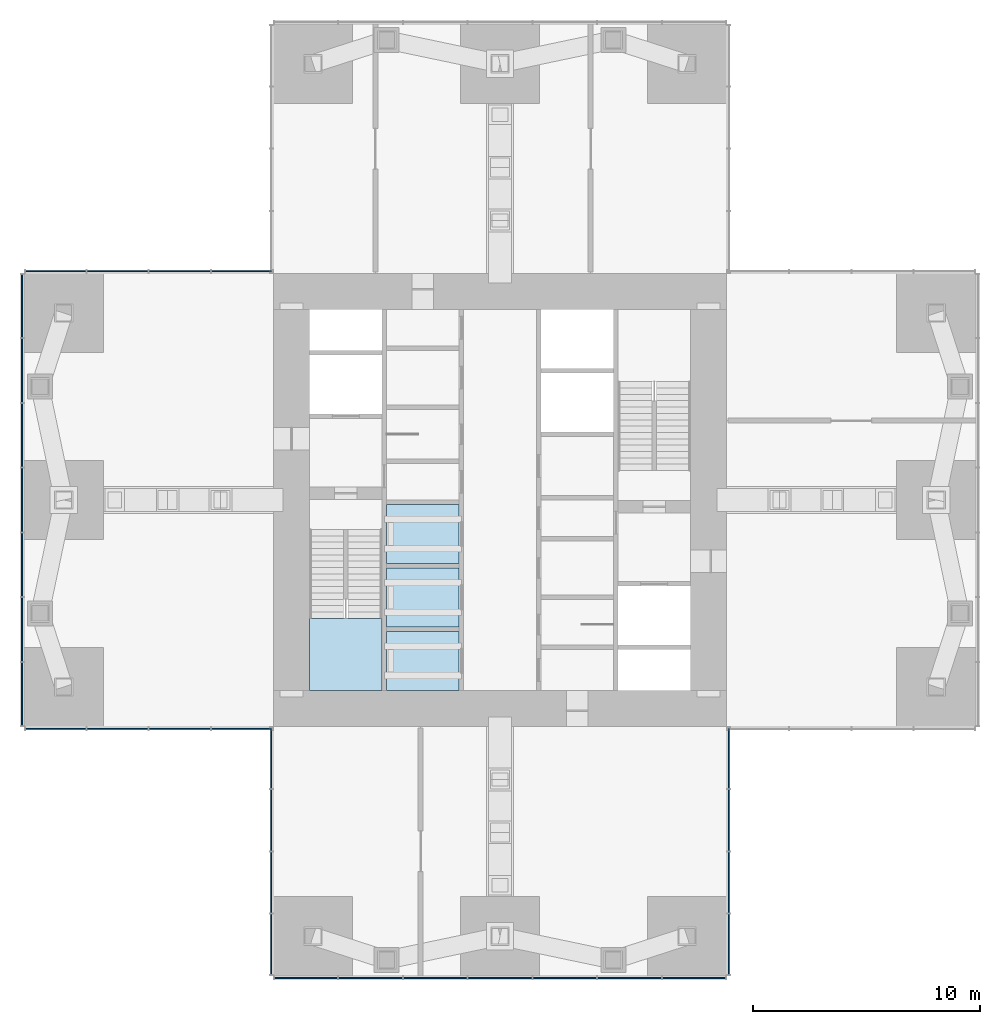
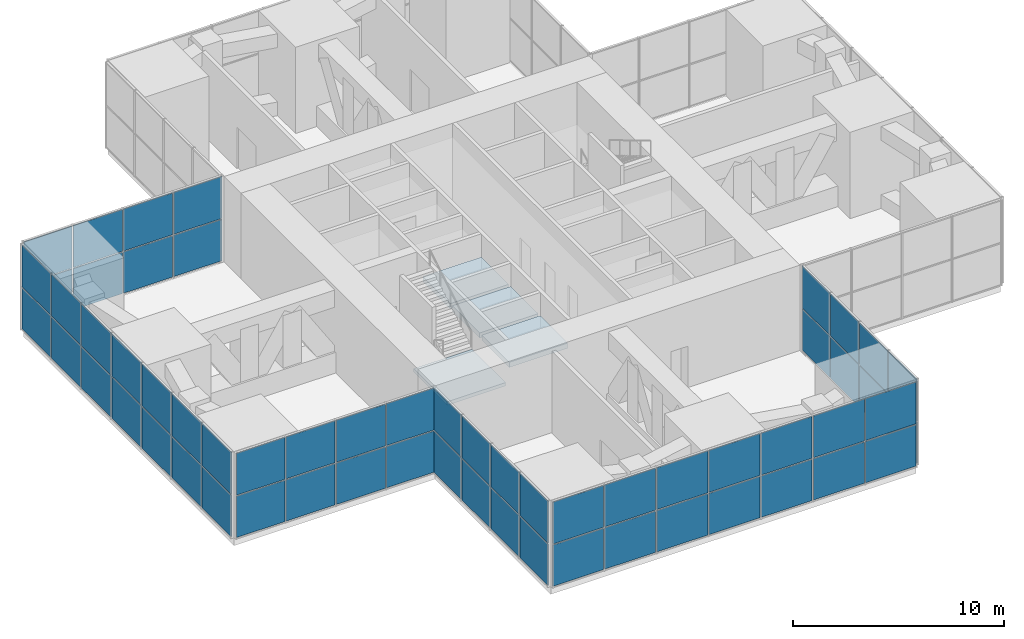
# One storey, part 8 of 12: 60 plates, 4 slabs, 7 elements without a shape of their own.
"""IFC4 building model written with IfcOpenShell, lengths in metres."""

from ifc_helpers import new_model, si_unit, direction, frame, origin, origin_2d, place, context, subcontext, project, spatial, polyline, rectangle, outline, extrude, material, layer, layer_set, type_object, element, aggregate, save


model = new_model("IFC4")

# Units and contexts
model_context = context("Model", 3, precision=1e-05, world=origin(), true_north=direction((0.0, 1.0)))
body_context = subcontext(model_context, "Body", "Model", "MODEL_VIEW")
ifc_project = project(units=[si_unit("LENGTHUNIT", "METRE"), si_unit("AREAUNIT", "SQUARE_METRE"), si_unit("VOLUMEUNIT", "CUBIC_METRE"), si_unit("PLANEANGLEUNIT", "RADIAN"), si_unit("MASSUNIT", "GRAM", prefix="KILO")], contexts=[model_context])

# Site, building, storey
site_placement = place(None, origin())
site = spatial("IfcSite", under=ifc_project, at=site_placement, CompositionType="ELEMENT")
building_placement = place(site_placement, origin())
building = spatial("IfcBuilding", under=site, at=building_placement, Name="Svetlomir Tower", CompositionType="ELEMENT")
storey_placement = place(building_placement, frame((0.0, 0.0, 160.5)))
storey = spatial("IfcBuildingStorey", under=building, at=storey_placement, Name="L38", CompositionType="ELEMENT", Elevation=160.5)

# Curtain wall, plates
ifc_material_1 = material(Name="Bronze anodised aluminium curtain wall", Category="aluminium")
curtain_wall_type = type_object("IfcCurtainWallType", Name="CURTAIN WALL CW3 PLANT LOUVRE", PredefinedType="NOTDEFINED", material=ifc_material_1)
curtain_wall_1_placement = place(storey_placement, origin())
curtain_wall_1 = element("IfcCurtainWall", 1, at=curtain_wall_1_placement, inside=storey, type_object=curtain_wall_type, Name="Curtain wall CW3 L38", PredefinedType="NOTDEFINED")
ifc_material_2 = material(Name="Bronze anodised aluminium louvre", Category="aluminium")
ifc_layer_1 = layer(ifc_material_2, 0.050048828125)
ifc_layer_set_1 = layer_set([ifc_layer_1], Name="Bronze anodised aluminium louvre")
plate_type = type_object("IfcPlateType", Name="CW3 LOUVRE PANEL 50", PredefinedType="CURTAIN_PANEL", material=ifc_layer_set_1)
plate_1_placement = place(storey_placement, frame((12.44482421875, -0.090087890625, 0.06494140625), z_axis=(0.0, 0.0, 1.0), x_axis=(1.0, 0.0, 0.0)))
plate_1 = element("IfcPlate", 2, at=plate_1_placement, type_object=plate_type, Name="CW3 panel 1.1", PredefinedType="CURTAIN_PANEL", context=body_context, shape_type="SweptSolid", body=[
    extrude(rectangle(XDim=2.759521484375, YDim=0.050048828125, at=origin_2d()), origin(), (0.0, 0.0, 1.0), 2.38623046875),
])
plate_2_placement = place(storey_placement, frame((12.44482421875, -0.090087890625, 2.51611328125), z_axis=(0.0, 0.0, 1.0), x_axis=(1.0, 0.0, 0.0)))
plate_2 = element("IfcPlate", 3, at=plate_2_placement, type_object=plate_type, Name="CW3 panel 1.2", PredefinedType="CURTAIN_PANEL", context=body_context, shape_type="SweptSolid", body=[
    extrude(rectangle(XDim=2.759521484375, YDim=0.050048828125, at=origin_2d()), origin(), (0.0, 0.0, 1.0), 2.418701171875),
])
plate_3_placement = place(storey_placement, frame((15.28564453125, -0.090087890625, 0.06494140625), z_axis=(0.0, 0.0, 1.0), x_axis=(1.0, 0.0, 0.0)))
plate_3 = element("IfcPlate", 4, at=plate_3_placement, type_object=plate_type, Name="CW3 panel 2.1", PredefinedType="CURTAIN_PANEL", context=body_context, shape_type="SweptSolid", body=[
    extrude(rectangle(XDim=2.792236328125, YDim=0.050048828125, at=origin_2d()), origin(), (0.0, 0.0, 1.0), 2.38623046875),
])
plate_4_placement = place(storey_placement, frame((15.28564453125, -0.090087890625, 2.51611328125), z_axis=(0.0, 0.0, 1.0), x_axis=(1.0, 0.0, 0.0)))
plate_4 = element("IfcPlate", 5, at=plate_4_placement, type_object=plate_type, Name="CW3 panel 2.2", PredefinedType="CURTAIN_PANEL", context=body_context, shape_type="SweptSolid", body=[
    extrude(rectangle(XDim=2.792236328125, YDim=0.050048828125, at=origin_2d()), origin(), (0.0, 0.0, 1.0), 2.418701171875),
])
plate_5_placement = place(storey_placement, frame((18.142822265625, -0.090087890625, 0.06494140625), z_axis=(0.0, 0.0, 1.0), x_axis=(1.0, 0.0, 0.0)))
plate_5 = element("IfcPlate", 6, at=plate_5_placement, type_object=plate_type, Name="CW3 panel 3.1", PredefinedType="CURTAIN_PANEL", context=body_context, shape_type="SweptSolid", body=[
    extrude(rectangle(XDim=2.792236328125, YDim=0.050048828125, at=origin_2d()), origin(), (0.0, 0.0, 1.0), 2.38623046875),
])
plate_6_placement = place(storey_placement, frame((18.142822265625, -0.090087890625, 2.51611328125), z_axis=(0.0, 0.0, 1.0), x_axis=(1.0, 0.0, 0.0)))
plate_6 = element("IfcPlate", 7, at=plate_6_placement, type_object=plate_type, Name="CW3 panel 3.2", PredefinedType="CURTAIN_PANEL", context=body_context, shape_type="SweptSolid", body=[
    extrude(rectangle(XDim=2.792236328125, YDim=0.050048828125, at=origin_2d()), origin(), (0.0, 0.0, 1.0), 2.418701171875),
])
plate_7_placement = place(storey_placement, frame((21.0, -0.090087890625, 0.06494140625), z_axis=(0.0, 0.0, 1.0), x_axis=(1.0, 0.0, 0.0)))
plate_7 = element("IfcPlate", 8, at=plate_7_placement, type_object=plate_type, Name="CW3 panel 4.1", PredefinedType="CURTAIN_PANEL", context=body_context, shape_type="SweptSolid", body=[
    extrude(rectangle(XDim=2.792236328125, YDim=0.050048828125, at=origin_2d()), origin(), (0.0, 0.0, 1.0), 2.38623046875),
])
plate_8_placement = place(storey_placement, frame((21.0, -0.090087890625, 2.51611328125), z_axis=(0.0, 0.0, 1.0), x_axis=(1.0, 0.0, 0.0)))
plate_8 = element("IfcPlate", 9, at=plate_8_placement, type_object=plate_type, Name="CW3 panel 4.2", PredefinedType="CURTAIN_PANEL", context=body_context, shape_type="SweptSolid", body=[
    extrude(rectangle(XDim=2.792236328125, YDim=0.050048828125, at=origin_2d()), origin(), (0.0, 0.0, 1.0), 2.418701171875),
])
plate_9_placement = place(storey_placement, frame((23.857177734375, -0.090087890625, 0.06494140625), z_axis=(0.0, 0.0, 1.0), x_axis=(1.0, 0.0, 0.0)))
plate_9 = element("IfcPlate", 10, at=plate_9_placement, type_object=plate_type, Name="CW3 panel 5.1", PredefinedType="CURTAIN_PANEL", context=body_context, shape_type="SweptSolid", body=[
    extrude(rectangle(XDim=2.792236328125, YDim=0.050048828125, at=origin_2d()), origin(), (0.0, 0.0, 1.0), 2.38623046875),
])
plate_10_placement = place(storey_placement, frame((23.857177734375, -0.090087890625, 2.51611328125), z_axis=(0.0, 0.0, 1.0), x_axis=(1.0, 0.0, 0.0)))
plate_10 = element("IfcPlate", 11, at=plate_10_placement, type_object=plate_type, Name="CW3 panel 5.2", PredefinedType="CURTAIN_PANEL", context=body_context, shape_type="SweptSolid", body=[
    extrude(rectangle(XDim=2.792236328125, YDim=0.050048828125, at=origin_2d()), origin(), (0.0, 0.0, 1.0), 2.418701171875),
])
plate_11_placement = place(storey_placement, frame((26.71435546875, -0.090087890625, 0.06494140625), z_axis=(0.0, 0.0, 1.0), x_axis=(1.0, 0.0, 0.0)))
plate_11 = element("IfcPlate", 12, at=plate_11_placement, type_object=plate_type, Name="CW3 panel 6.1", PredefinedType="CURTAIN_PANEL", context=body_context, shape_type="SweptSolid", body=[
    extrude(rectangle(XDim=2.792236328125, YDim=0.050048828125, at=origin_2d()), origin(), (0.0, 0.0, 1.0), 2.38623046875),
])
plate_12_placement = place(storey_placement, frame((26.71435546875, -0.090087890625, 2.51611328125), z_axis=(0.0, 0.0, 1.0), x_axis=(1.0, 0.0, 0.0)))
plate_12 = element("IfcPlate", 13, at=plate_12_placement, type_object=plate_type, Name="CW3 panel 6.2", PredefinedType="CURTAIN_PANEL", context=body_context, shape_type="SweptSolid", body=[
    extrude(rectangle(XDim=2.792236328125, YDim=0.050048828125, at=origin_2d()), origin(), (0.0, 0.0, 1.0), 2.418701171875),
])
plate_13_placement = place(storey_placement, frame((29.55517578125, -0.090087890625, 0.06494140625), z_axis=(0.0, 0.0, 1.0), x_axis=(1.0, 0.0, 0.0)))
plate_13 = element("IfcPlate", 14, at=plate_13_placement, type_object=plate_type, Name="CW3 panel 7.1", PredefinedType="CURTAIN_PANEL", context=body_context, shape_type="SweptSolid", body=[
    extrude(rectangle(XDim=2.759521484375, YDim=0.050048828125, at=origin_2d()), origin(), (0.0, 0.0, 1.0), 2.38623046875),
])
plate_14_placement = place(storey_placement, frame((29.55517578125, -0.090087890625, 2.51611328125), z_axis=(0.0, 0.0, 1.0), x_axis=(1.0, 0.0, 0.0)))
plate_14 = element("IfcPlate", 15, at=plate_14_placement, type_object=plate_type, Name="CW3 panel 7.2", PredefinedType="CURTAIN_PANEL", context=body_context, shape_type="SweptSolid", body=[
    extrude(rectangle(XDim=2.759521484375, YDim=0.050048828125, at=origin_2d()), origin(), (0.0, 0.0, 1.0), 2.418701171875),
])
aggregate(curtain_wall_1, [plate_1, plate_2, plate_3, plate_4, plate_5, plate_6, plate_7, plate_8, plate_9, plate_10, plate_11, plate_12, plate_13, plate_14])

curtain_wall_2_placement = place(storey_placement, origin())
curtain_wall_2 = element("IfcCurtainWall", 16, at=curtain_wall_2_placement, inside=storey, type_object=curtain_wall_type, Name="Curtain wall CW3 L38", PredefinedType="NOTDEFINED")
plate_15_placement = place(storey_placement, frame((31.090087890625, 1.391357421875, 0.06494140625), z_axis=(0.0, 0.0, 1.0), x_axis=(0.0, 1.0, 0.0)))
plate_15 = element("IfcPlate", 17, at=plate_15_placement, type_object=plate_type, Name="CW3 panel 1.1", PredefinedType="CURTAIN_PANEL", context=body_context, shape_type="SweptSolid", body=[
    extrude(rectangle(XDim=2.652587890625, YDim=0.050048828125, at=origin_2d()), origin(), (0.0, 0.0, 1.0), 2.38623046875),
])
plate_16_placement = place(storey_placement, frame((31.090087890625, 1.391357421875, 2.51611328125), z_axis=(0.0, 0.0, 1.0), x_axis=(0.0, 1.0, 0.0)))
plate_16 = element("IfcPlate", 18, at=plate_16_placement, type_object=plate_type, Name="CW3 panel 1.2", PredefinedType="CURTAIN_PANEL", context=body_context, shape_type="SweptSolid", body=[
    extrude(rectangle(XDim=2.652587890625, YDim=0.050048828125, at=origin_2d()), origin(), (0.0, 0.0, 1.0), 2.418701171875),
])
plate_17_placement = place(storey_placement, frame((31.090087890625, 4.125, 0.06494140625), z_axis=(0.0, 0.0, 1.0), x_axis=(0.0, 1.0, 0.0)))
plate_17 = element("IfcPlate", 19, at=plate_17_placement, type_object=plate_type, Name="CW3 panel 2.1", PredefinedType="CURTAIN_PANEL", context=body_context, shape_type="SweptSolid", body=[
    extrude(rectangle(XDim=2.68505859375, YDim=0.050048828125, at=origin_2d()), origin(), (0.0, 0.0, 1.0), 2.38623046875),
])
plate_18_placement = place(storey_placement, frame((31.090087890625, 4.125, 2.51611328125), z_axis=(0.0, 0.0, 1.0), x_axis=(0.0, 1.0, 0.0)))
plate_18 = element("IfcPlate", 20, at=plate_18_placement, type_object=plate_type, Name="CW3 panel 2.2", PredefinedType="CURTAIN_PANEL", context=body_context, shape_type="SweptSolid", body=[
    extrude(rectangle(XDim=2.68505859375, YDim=0.050048828125, at=origin_2d()), origin(), (0.0, 0.0, 1.0), 2.418701171875),
])
plate_19_placement = place(storey_placement, frame((31.090087890625, 6.875, 0.06494140625), z_axis=(0.0, 0.0, 1.0), x_axis=(0.0, 1.0, 0.0)))
plate_19 = element("IfcPlate", 21, at=plate_19_placement, type_object=plate_type, Name="CW3 panel 3.1", PredefinedType="CURTAIN_PANEL", context=body_context, shape_type="SweptSolid", body=[
    extrude(rectangle(XDim=2.68505859375, YDim=0.050048828125, at=origin_2d()), origin(), (0.0, 0.0, 1.0), 2.38623046875),
])
plate_20_placement = place(storey_placement, frame((31.090087890625, 6.875, 2.51611328125), z_axis=(0.0, 0.0, 1.0), x_axis=(0.0, 1.0, 0.0)))
plate_20 = element("IfcPlate", 22, at=plate_20_placement, type_object=plate_type, Name="CW3 panel 3.2", PredefinedType="CURTAIN_PANEL", context=body_context, shape_type="SweptSolid", body=[
    extrude(rectangle(XDim=2.68505859375, YDim=0.050048828125, at=origin_2d()), origin(), (0.0, 0.0, 1.0), 2.418701171875),
])
plate_21_placement = place(storey_placement, frame((31.090087890625, 9.608642578125, 0.06494140625), z_axis=(0.0, 0.0, 1.0), x_axis=(0.0, 1.0, 0.0)))
plate_21 = element("IfcPlate", 23, at=plate_21_placement, type_object=plate_type, Name="CW3 panel 4.1", PredefinedType="CURTAIN_PANEL", context=body_context, shape_type="SweptSolid", body=[
    extrude(rectangle(XDim=2.652587890625, YDim=0.050048828125, at=origin_2d()), origin(), (0.0, 0.0, 1.0), 2.38623046875),
])
plate_22_placement = place(storey_placement, frame((31.090087890625, 9.608642578125, 2.51611328125), z_axis=(0.0, 0.0, 1.0), x_axis=(0.0, 1.0, 0.0)))
plate_22 = element("IfcPlate", 24, at=plate_22_placement, type_object=plate_type, Name="CW3 panel 4.2", PredefinedType="CURTAIN_PANEL", context=body_context, shape_type="SweptSolid", body=[
    extrude(rectangle(XDim=2.652587890625, YDim=0.050048828125, at=origin_2d()), origin(), (0.0, 0.0, 1.0), 2.418701171875),
])
aggregate(curtain_wall_2, [plate_15, plate_16, plate_17, plate_18, plate_19, plate_20, plate_21, plate_22])

curtain_wall_3_placement = place(storey_placement, origin())
curtain_wall_3 = element("IfcCurtainWall", 25, at=curtain_wall_3_placement, inside=storey, type_object=curtain_wall_type, Name="Curtain wall CW3 L38", PredefinedType="NOTDEFINED")
plate_23_placement = place(storey_placement, frame((9.608642578125, 31.090087890625, 0.06494140625), z_axis=(0.0, 0.0, 1.0), x_axis=(-1.0, 0.0, 0.0)))
plate_23 = element("IfcPlate", 26, at=plate_23_placement, type_object=plate_type, Name="CW3 panel 1.1", PredefinedType="CURTAIN_PANEL", context=body_context, shape_type="SweptSolid", body=[
    extrude(rectangle(XDim=2.652587890625, YDim=0.050048828125, at=origin_2d()), origin(), (0.0, 0.0, 1.0), 2.38623046875),
])
plate_24_placement = place(storey_placement, frame((9.608642578125, 31.090087890625, 2.51611328125), z_axis=(0.0, 0.0, 1.0), x_axis=(-1.0, 0.0, 0.0)))
plate_24 = element("IfcPlate", 27, at=plate_24_placement, type_object=plate_type, Name="CW3 panel 1.2", PredefinedType="CURTAIN_PANEL", context=body_context, shape_type="SweptSolid", body=[
    extrude(rectangle(XDim=2.652587890625, YDim=0.050048828125, at=origin_2d()), origin(), (0.0, 0.0, 1.0), 2.418701171875),
])
plate_25_placement = place(storey_placement, frame((6.875, 31.090087890625, 0.06494140625), z_axis=(0.0, 0.0, 1.0), x_axis=(-1.0, 0.0, 0.0)))
plate_25 = element("IfcPlate", 28, at=plate_25_placement, type_object=plate_type, Name="CW3 panel 2.1", PredefinedType="CURTAIN_PANEL", context=body_context, shape_type="SweptSolid", body=[
    extrude(rectangle(XDim=2.68505859375, YDim=0.050048828125, at=origin_2d()), origin(), (0.0, 0.0, 1.0), 2.38623046875),
])
plate_26_placement = place(storey_placement, frame((6.875, 31.090087890625, 2.51611328125), z_axis=(0.0, 0.0, 1.0), x_axis=(-1.0, 0.0, 0.0)))
plate_26 = element("IfcPlate", 29, at=plate_26_placement, type_object=plate_type, Name="CW3 panel 2.2", PredefinedType="CURTAIN_PANEL", context=body_context, shape_type="SweptSolid", body=[
    extrude(rectangle(XDim=2.68505859375, YDim=0.050048828125, at=origin_2d()), origin(), (0.0, 0.0, 1.0), 2.418701171875),
])
plate_27_placement = place(storey_placement, frame((4.125, 31.090087890625, 0.06494140625), z_axis=(0.0, 0.0, 1.0), x_axis=(-1.0, 0.0, 0.0)))
plate_27 = element("IfcPlate", 30, at=plate_27_placement, type_object=plate_type, Name="CW3 panel 3.1", PredefinedType="CURTAIN_PANEL", context=body_context, shape_type="SweptSolid", body=[
    extrude(rectangle(XDim=2.68505859375, YDim=0.050048828125, at=origin_2d()), origin(), (0.0, 0.0, 1.0), 2.38623046875),
])
plate_28_placement = place(storey_placement, frame((4.125, 31.090087890625, 2.51611328125), z_axis=(0.0, 0.0, 1.0), x_axis=(-1.0, 0.0, 0.0)))
plate_28 = element("IfcPlate", 31, at=plate_28_placement, type_object=plate_type, Name="CW3 panel 3.2", PredefinedType="CURTAIN_PANEL", context=body_context, shape_type="SweptSolid", body=[
    extrude(rectangle(XDim=2.68505859375, YDim=0.050048828125, at=origin_2d()), origin(), (0.0, 0.0, 1.0), 2.418701171875),
])
plate_29_placement = place(storey_placement, frame((1.391357421875, 31.090087890625, 0.06494140625), z_axis=(0.0, 0.0, 1.0), x_axis=(-1.0, 0.0, 0.0)))
plate_29 = element("IfcPlate", 32, at=plate_29_placement, type_object=plate_type, Name="CW3 panel 4.1", PredefinedType="CURTAIN_PANEL", context=body_context, shape_type="SweptSolid", body=[
    extrude(rectangle(XDim=2.652587890625, YDim=0.050048828125, at=origin_2d()), origin(), (0.0, 0.0, 1.0), 2.38623046875),
])
plate_30_placement = place(storey_placement, frame((1.391357421875, 31.090087890625, 2.51611328125), z_axis=(0.0, 0.0, 1.0), x_axis=(-1.0, 0.0, 0.0)))
plate_30 = element("IfcPlate", 33, at=plate_30_placement, type_object=plate_type, Name="CW3 panel 4.2", PredefinedType="CURTAIN_PANEL", context=body_context, shape_type="SweptSolid", body=[
    extrude(rectangle(XDim=2.652587890625, YDim=0.050048828125, at=origin_2d()), origin(), (0.0, 0.0, 1.0), 2.418701171875),
])
aggregate(curtain_wall_3, [plate_23, plate_24, plate_25, plate_26, plate_27, plate_28, plate_29, plate_30])

curtain_wall_4_placement = place(storey_placement, origin())
curtain_wall_4 = element("IfcCurtainWall", 34, at=curtain_wall_4_placement, inside=storey, type_object=curtain_wall_type, Name="Curtain wall CW3 L38", PredefinedType="NOTDEFINED")
plate_31_placement = place(storey_placement, frame((-0.090087890625, 29.55517578125, 0.06494140625), z_axis=(0.0, 0.0, 1.0), x_axis=(0.0, -1.0, 0.0)))
plate_31 = element("IfcPlate", 35, at=plate_31_placement, type_object=plate_type, Name="CW3 panel 1.1", PredefinedType="CURTAIN_PANEL", context=body_context, shape_type="SweptSolid", body=[
    extrude(rectangle(XDim=2.759521484375, YDim=0.050048828125, at=origin_2d()), origin(), (0.0, 0.0, 1.0), 2.38623046875),
])
plate_32_placement = place(storey_placement, frame((-0.090087890625, 29.55517578125, 2.51611328125), z_axis=(0.0, 0.0, 1.0), x_axis=(0.0, -1.0, 0.0)))
plate_32 = element("IfcPlate", 36, at=plate_32_placement, type_object=plate_type, Name="CW3 panel 1.2", PredefinedType="CURTAIN_PANEL", context=body_context, shape_type="SweptSolid", body=[
    extrude(rectangle(XDim=2.759521484375, YDim=0.050048828125, at=origin_2d()), origin(), (0.0, 0.0, 1.0), 2.418701171875),
])
plate_33_placement = place(storey_placement, frame((-0.090087890625, 26.71435546875, 0.06494140625), z_axis=(0.0, 0.0, 1.0), x_axis=(0.0, -1.0, 0.0)))
plate_33 = element("IfcPlate", 37, at=plate_33_placement, type_object=plate_type, Name="CW3 panel 2.1", PredefinedType="CURTAIN_PANEL", context=body_context, shape_type="SweptSolid", body=[
    extrude(rectangle(XDim=2.792236328125, YDim=0.050048828125, at=origin_2d()), origin(), (0.0, 0.0, 1.0), 2.38623046875),
])
plate_34_placement = place(storey_placement, frame((-0.090087890625, 26.71435546875, 2.51611328125), z_axis=(0.0, 0.0, 1.0), x_axis=(0.0, -1.0, 0.0)))
plate_34 = element("IfcPlate", 38, at=plate_34_placement, type_object=plate_type, Name="CW3 panel 2.2", PredefinedType="CURTAIN_PANEL", context=body_context, shape_type="SweptSolid", body=[
    extrude(rectangle(XDim=2.792236328125, YDim=0.050048828125, at=origin_2d()), origin(), (0.0, 0.0, 1.0), 2.418701171875),
])
plate_35_placement = place(storey_placement, frame((-0.090087890625, 23.857177734375, 0.06494140625), z_axis=(0.0, 0.0, 1.0), x_axis=(0.0, -1.0, 0.0)))
plate_35 = element("IfcPlate", 39, at=plate_35_placement, type_object=plate_type, Name="CW3 panel 3.1", PredefinedType="CURTAIN_PANEL", context=body_context, shape_type="SweptSolid", body=[
    extrude(rectangle(XDim=2.792236328125, YDim=0.050048828125, at=origin_2d()), origin(), (0.0, 0.0, 1.0), 2.38623046875),
])
plate_36_placement = place(storey_placement, frame((-0.090087890625, 23.857177734375, 2.51611328125), z_axis=(0.0, 0.0, 1.0), x_axis=(0.0, -1.0, 0.0)))
plate_36 = element("IfcPlate", 40, at=plate_36_placement, type_object=plate_type, Name="CW3 panel 3.2", PredefinedType="CURTAIN_PANEL", context=body_context, shape_type="SweptSolid", body=[
    extrude(rectangle(XDim=2.792236328125, YDim=0.050048828125, at=origin_2d()), origin(), (0.0, 0.0, 1.0), 2.418701171875),
])
plate_37_placement = place(storey_placement, frame((-0.090087890625, 21.0, 0.06494140625), z_axis=(0.0, 0.0, 1.0), x_axis=(0.0, -1.0, 0.0)))
plate_37 = element("IfcPlate", 41, at=plate_37_placement, type_object=plate_type, Name="CW3 panel 4.1", PredefinedType="CURTAIN_PANEL", context=body_context, shape_type="SweptSolid", body=[
    extrude(rectangle(XDim=2.792236328125, YDim=0.050048828125, at=origin_2d()), origin(), (0.0, 0.0, 1.0), 2.38623046875),
])
plate_38_placement = place(storey_placement, frame((-0.090087890625, 21.0, 2.51611328125), z_axis=(0.0, 0.0, 1.0), x_axis=(0.0, -1.0, 0.0)))
plate_38 = element("IfcPlate", 42, at=plate_38_placement, type_object=plate_type, Name="CW3 panel 4.2", PredefinedType="CURTAIN_PANEL", context=body_context, shape_type="SweptSolid", body=[
    extrude(rectangle(XDim=2.792236328125, YDim=0.050048828125, at=origin_2d()), origin(), (0.0, 0.0, 1.0), 2.418701171875),
])
plate_39_placement = place(storey_placement, frame((-0.090087890625, 18.142822265625, 0.06494140625), z_axis=(0.0, 0.0, 1.0), x_axis=(0.0, -1.0, 0.0)))
plate_39 = element("IfcPlate", 43, at=plate_39_placement, type_object=plate_type, Name="CW3 panel 5.1", PredefinedType="CURTAIN_PANEL", context=body_context, shape_type="SweptSolid", body=[
    extrude(rectangle(XDim=2.792236328125, YDim=0.050048828125, at=origin_2d()), origin(), (0.0, 0.0, 1.0), 2.38623046875),
])
plate_40_placement = place(storey_placement, frame((-0.090087890625, 18.142822265625, 2.51611328125), z_axis=(0.0, 0.0, 1.0), x_axis=(0.0, -1.0, 0.0)))
plate_40 = element("IfcPlate", 44, at=plate_40_placement, type_object=plate_type, Name="CW3 panel 5.2", PredefinedType="CURTAIN_PANEL", context=body_context, shape_type="SweptSolid", body=[
    extrude(rectangle(XDim=2.792236328125, YDim=0.050048828125, at=origin_2d()), origin(), (0.0, 0.0, 1.0), 2.418701171875),
])
plate_41_placement = place(storey_placement, frame((-0.090087890625, 15.28564453125, 0.06494140625), z_axis=(0.0, 0.0, 1.0), x_axis=(0.0, -1.0, 0.0)))
plate_41 = element("IfcPlate", 45, at=plate_41_placement, type_object=plate_type, Name="CW3 panel 6.1", PredefinedType="CURTAIN_PANEL", context=body_context, shape_type="SweptSolid", body=[
    extrude(rectangle(XDim=2.792236328125, YDim=0.050048828125, at=origin_2d()), origin(), (0.0, 0.0, 1.0), 2.38623046875),
])
plate_42_placement = place(storey_placement, frame((-0.090087890625, 15.28564453125, 2.51611328125), z_axis=(0.0, 0.0, 1.0), x_axis=(0.0, -1.0, 0.0)))
plate_42 = element("IfcPlate", 46, at=plate_42_placement, type_object=plate_type, Name="CW3 panel 6.2", PredefinedType="CURTAIN_PANEL", context=body_context, shape_type="SweptSolid", body=[
    extrude(rectangle(XDim=2.792236328125, YDim=0.050048828125, at=origin_2d()), origin(), (0.0, 0.0, 1.0), 2.418701171875),
])
plate_43_placement = place(storey_placement, frame((-0.090087890625, 12.44482421875, 0.06494140625), z_axis=(0.0, 0.0, 1.0), x_axis=(0.0, -1.0, 0.0)))
plate_43 = element("IfcPlate", 47, at=plate_43_placement, type_object=plate_type, Name="CW3 panel 7.1", PredefinedType="CURTAIN_PANEL", context=body_context, shape_type="SweptSolid", body=[
    extrude(rectangle(XDim=2.759521484375, YDim=0.050048828125, at=origin_2d()), origin(), (0.0, 0.0, 1.0), 2.38623046875),
])
plate_44_placement = place(storey_placement, frame((-0.090087890625, 12.44482421875, 2.51611328125), z_axis=(0.0, 0.0, 1.0), x_axis=(0.0, -1.0, 0.0)))
plate_44 = element("IfcPlate", 48, at=plate_44_placement, type_object=plate_type, Name="CW3 panel 7.2", PredefinedType="CURTAIN_PANEL", context=body_context, shape_type="SweptSolid", body=[
    extrude(rectangle(XDim=2.759521484375, YDim=0.050048828125, at=origin_2d()), origin(), (0.0, 0.0, 1.0), 2.418701171875),
])
aggregate(curtain_wall_4, [plate_31, plate_32, plate_33, plate_34, plate_35, plate_36, plate_37, plate_38, plate_39, plate_40, plate_41, plate_42, plate_43, plate_44])

curtain_wall_5_placement = place(storey_placement, origin())
curtain_wall_5 = element("IfcCurtainWall", 49, at=curtain_wall_5_placement, inside=storey, type_object=curtain_wall_type, Name="Curtain wall CW3 L38", PredefinedType="NOTDEFINED")
plate_45_placement = place(storey_placement, frame((1.391357421875, 10.909912109375, 0.06494140625), z_axis=(0.0, 0.0, 1.0), x_axis=(1.0, 0.0, 0.0)))
plate_45 = element("IfcPlate", 50, at=plate_45_placement, type_object=plate_type, Name="CW3 panel 1.1", PredefinedType="CURTAIN_PANEL", context=body_context, shape_type="SweptSolid", body=[
    extrude(rectangle(XDim=2.652587890625, YDim=0.050048828125, at=origin_2d()), origin(), (0.0, 0.0, 1.0), 2.38623046875),
])
plate_46_placement = place(storey_placement, frame((1.391357421875, 10.909912109375, 2.51611328125), z_axis=(0.0, 0.0, 1.0), x_axis=(1.0, 0.0, 0.0)))
plate_46 = element("IfcPlate", 51, at=plate_46_placement, type_object=plate_type, Name="CW3 panel 1.2", PredefinedType="CURTAIN_PANEL", context=body_context, shape_type="SweptSolid", body=[
    extrude(rectangle(XDim=2.652587890625, YDim=0.050048828125, at=origin_2d()), origin(), (0.0, 0.0, 1.0), 2.418701171875),
])
plate_47_placement = place(storey_placement, frame((4.125, 10.909912109375, 0.06494140625), z_axis=(0.0, 0.0, 1.0), x_axis=(1.0, 0.0, 0.0)))
plate_47 = element("IfcPlate", 52, at=plate_47_placement, type_object=plate_type, Name="CW3 panel 2.1", PredefinedType="CURTAIN_PANEL", context=body_context, shape_type="SweptSolid", body=[
    extrude(rectangle(XDim=2.68505859375, YDim=0.050048828125, at=origin_2d()), origin(), (0.0, 0.0, 1.0), 2.38623046875),
])
plate_48_placement = place(storey_placement, frame((4.125, 10.909912109375, 2.51611328125), z_axis=(0.0, 0.0, 1.0), x_axis=(1.0, 0.0, 0.0)))
plate_48 = element("IfcPlate", 53, at=plate_48_placement, type_object=plate_type, Name="CW3 panel 2.2", PredefinedType="CURTAIN_PANEL", context=body_context, shape_type="SweptSolid", body=[
    extrude(rectangle(XDim=2.68505859375, YDim=0.050048828125, at=origin_2d()), origin(), (0.0, 0.0, 1.0), 2.418701171875),
])
plate_49_placement = place(storey_placement, frame((6.875, 10.909912109375, 0.06494140625), z_axis=(0.0, 0.0, 1.0), x_axis=(1.0, 0.0, 0.0)))
plate_49 = element("IfcPlate", 54, at=plate_49_placement, type_object=plate_type, Name="CW3 panel 3.1", PredefinedType="CURTAIN_PANEL", context=body_context, shape_type="SweptSolid", body=[
    extrude(rectangle(XDim=2.68505859375, YDim=0.050048828125, at=origin_2d()), origin(), (0.0, 0.0, 1.0), 2.38623046875),
])
plate_50_placement = place(storey_placement, frame((6.875, 10.909912109375, 2.51611328125), z_axis=(0.0, 0.0, 1.0), x_axis=(1.0, 0.0, 0.0)))
plate_50 = element("IfcPlate", 55, at=plate_50_placement, type_object=plate_type, Name="CW3 panel 3.2", PredefinedType="CURTAIN_PANEL", context=body_context, shape_type="SweptSolid", body=[
    extrude(rectangle(XDim=2.68505859375, YDim=0.050048828125, at=origin_2d()), origin(), (0.0, 0.0, 1.0), 2.418701171875),
])
plate_51_placement = place(storey_placement, frame((9.608642578125, 10.909912109375, 0.06494140625), z_axis=(0.0, 0.0, 1.0), x_axis=(1.0, 0.0, 0.0)))
plate_51 = element("IfcPlate", 56, at=plate_51_placement, type_object=plate_type, Name="CW3 panel 4.1", PredefinedType="CURTAIN_PANEL", context=body_context, shape_type="SweptSolid", body=[
    extrude(rectangle(XDim=2.652587890625, YDim=0.050048828125, at=origin_2d()), origin(), (0.0, 0.0, 1.0), 2.38623046875),
])
plate_52_placement = place(storey_placement, frame((9.608642578125, 10.909912109375, 2.51611328125), z_axis=(0.0, 0.0, 1.0), x_axis=(1.0, 0.0, 0.0)))
plate_52 = element("IfcPlate", 57, at=plate_52_placement, type_object=plate_type, Name="CW3 panel 4.2", PredefinedType="CURTAIN_PANEL", context=body_context, shape_type="SweptSolid", body=[
    extrude(rectangle(XDim=2.652587890625, YDim=0.050048828125, at=origin_2d()), origin(), (0.0, 0.0, 1.0), 2.418701171875),
])
aggregate(curtain_wall_5, [plate_45, plate_46, plate_47, plate_48, plate_49, plate_50, plate_51, plate_52])

curtain_wall_6_placement = place(storey_placement, origin())
curtain_wall_6 = element("IfcCurtainWall", 58, at=curtain_wall_6_placement, inside=storey, type_object=curtain_wall_type, Name="Curtain wall CW3 L38", PredefinedType="NOTDEFINED")
plate_53_placement = place(storey_placement, frame((10.909912109375, 9.608642578125, 0.06494140625), z_axis=(0.0, 0.0, 1.0), x_axis=(0.0, -1.0, 0.0)))
plate_53 = element("IfcPlate", 59, at=plate_53_placement, type_object=plate_type, Name="CW3 panel 1.1", PredefinedType="CURTAIN_PANEL", context=body_context, shape_type="SweptSolid", body=[
    extrude(rectangle(XDim=2.652587890625, YDim=0.050048828125, at=origin_2d()), origin(), (0.0, 0.0, 1.0), 2.38623046875),
])
plate_54_placement = place(storey_placement, frame((10.909912109375, 9.608642578125, 2.51611328125), z_axis=(0.0, 0.0, 1.0), x_axis=(0.0, -1.0, 0.0)))
plate_54 = element("IfcPlate", 60, at=plate_54_placement, type_object=plate_type, Name="CW3 panel 1.2", PredefinedType="CURTAIN_PANEL", context=body_context, shape_type="SweptSolid", body=[
    extrude(rectangle(XDim=2.652587890625, YDim=0.050048828125, at=origin_2d()), origin(), (0.0, 0.0, 1.0), 2.418701171875),
])
plate_55_placement = place(storey_placement, frame((10.909912109375, 6.875, 0.06494140625), z_axis=(0.0, 0.0, 1.0), x_axis=(0.0, -1.0, 0.0)))
plate_55 = element("IfcPlate", 61, at=plate_55_placement, type_object=plate_type, Name="CW3 panel 2.1", PredefinedType="CURTAIN_PANEL", context=body_context, shape_type="SweptSolid", body=[
    extrude(rectangle(XDim=2.68505859375, YDim=0.050048828125, at=origin_2d()), origin(), (0.0, 0.0, 1.0), 2.38623046875),
])
plate_56_placement = place(storey_placement, frame((10.909912109375, 6.875, 2.51611328125), z_axis=(0.0, 0.0, 1.0), x_axis=(0.0, -1.0, 0.0)))
plate_56 = element("IfcPlate", 62, at=plate_56_placement, type_object=plate_type, Name="CW3 panel 2.2", PredefinedType="CURTAIN_PANEL", context=body_context, shape_type="SweptSolid", body=[
    extrude(rectangle(XDim=2.68505859375, YDim=0.050048828125, at=origin_2d()), origin(), (0.0, 0.0, 1.0), 2.418701171875),
])
plate_57_placement = place(storey_placement, frame((10.909912109375, 4.125, 0.06494140625), z_axis=(0.0, 0.0, 1.0), x_axis=(0.0, -1.0, 0.0)))
plate_57 = element("IfcPlate", 63, at=plate_57_placement, type_object=plate_type, Name="CW3 panel 3.1", PredefinedType="CURTAIN_PANEL", context=body_context, shape_type="SweptSolid", body=[
    extrude(rectangle(XDim=2.68505859375, YDim=0.050048828125, at=origin_2d()), origin(), (0.0, 0.0, 1.0), 2.38623046875),
])
plate_58_placement = place(storey_placement, frame((10.909912109375, 4.125, 2.51611328125), z_axis=(0.0, 0.0, 1.0), x_axis=(0.0, -1.0, 0.0)))
plate_58 = element("IfcPlate", 64, at=plate_58_placement, type_object=plate_type, Name="CW3 panel 3.2", PredefinedType="CURTAIN_PANEL", context=body_context, shape_type="SweptSolid", body=[
    extrude(rectangle(XDim=2.68505859375, YDim=0.050048828125, at=origin_2d()), origin(), (0.0, 0.0, 1.0), 2.418701171875),
])
plate_59_placement = place(storey_placement, frame((10.909912109375, 1.391357421875, 0.06494140625), z_axis=(0.0, 0.0, 1.0), x_axis=(0.0, -1.0, 0.0)))
plate_59 = element("IfcPlate", 65, at=plate_59_placement, type_object=plate_type, Name="CW3 panel 4.1", PredefinedType="CURTAIN_PANEL", context=body_context, shape_type="SweptSolid", body=[
    extrude(rectangle(XDim=2.652587890625, YDim=0.050048828125, at=origin_2d()), origin(), (0.0, 0.0, 1.0), 2.38623046875),
])
plate_60_placement = place(storey_placement, frame((10.909912109375, 1.391357421875, 2.51611328125), z_axis=(0.0, 0.0, 1.0), x_axis=(0.0, -1.0, 0.0)))
plate_60 = element("IfcPlate", 66, at=plate_60_placement, type_object=plate_type, Name="CW3 panel 4.2", PredefinedType="CURTAIN_PANEL", context=body_context, shape_type="SweptSolid", body=[
    extrude(rectangle(XDim=2.652587890625, YDim=0.050048828125, at=origin_2d()), origin(), (0.0, 0.0, 1.0), 2.418701171875),
])
aggregate(curtain_wall_6, [plate_53, plate_54, plate_55, plate_56, plate_57, plate_58, plate_59, plate_60])

# Slabs
ifc_material_3 = material(Name="Concrete C60/75", Category="concrete")
ifc_layer_2 = layer(ifc_material_3, 0.300048828125)
ifc_layer_set_2 = layer_set([ifc_layer_2], Name="Concrete C60/75")
slab_type_1 = type_object("IfcSlabType", Name="LIFT PIT SLAB 300", PredefinedType="USERDEFINED", material=ifc_layer_set_2)
slab_1_placement = place(storey_placement, frame((0.0, 0.0, 3.300048828125)))
element("IfcSlab", 67, at=slab_1_placement, inside=storey, type_object=slab_type_1, Name="Lift pit slab BANK-W1 under L39", ObjectType="LIFT PIT", PredefinedType="USERDEFINED", context=body_context, shape_type="SweptSolid", body=[
    extrude(outline(polyline([(16.0, 12.60009765625), (19.199951171875, 12.60009765625), (19.199951171875, 15.199951171875), (16.0, 15.199951171875), (16.0, 12.60009765625)])), origin(), (0.0, 0.0, 1.0), 0.300048828125),
])
slab_2_placement = place(storey_placement, frame((0.0, 0.0, 3.300048828125)))
element("IfcSlab", 68, at=slab_2_placement, inside=storey, type_object=slab_type_1, Name="Lift pit slab BANK-W2 under L39", ObjectType="LIFT PIT", PredefinedType="USERDEFINED", context=body_context, shape_type="SweptSolid", body=[
    extrude(outline(polyline([(16.0, 15.39990234375), (19.199951171875, 15.39990234375), (19.199951171875, 18.0), (16.0, 18.0), (16.0, 15.39990234375)])), origin(), (0.0, 0.0, 1.0), 0.300048828125),
])
slab_3_placement = place(storey_placement, frame((0.0, 0.0, 3.300048828125)))
element("IfcSlab", 69, at=slab_3_placement, inside=storey, type_object=slab_type_1, Name="Lift pit slab BANK-W3 under L39", ObjectType="LIFT PIT", PredefinedType="USERDEFINED", context=body_context, shape_type="SweptSolid", body=[
    extrude(outline(polyline([(16.0, 18.199951171875), (19.199951171875, 18.199951171875), (19.199951171875, 20.800048828125), (16.0, 20.800048828125), (16.0, 18.199951171875)])), origin(), (0.0, 0.0, 1.0), 0.300048828125),
])

# Stair, slab
ifc_material_4 = material(Name="Concrete C60/75", Category="concrete")
stair_type = type_object("IfcStairType", Name="EXIT STAIR 3200 RISE 5000", PredefinedType="HALF_TURN_STAIR", material=ifc_material_4)
stair_placement = place(storey_placement, origin())
stair = element("IfcStair", 70, at=stair_placement, inside=storey, type_object=stair_type, Name="Stair S1 L38 to L39", PredefinedType="HALF_TURN_STAIR")
ifc_material_5 = material(Name="Concrete C60/75", Category="concrete")
ifc_layer_3 = layer(ifc_material_5, 0.199951171875)
ifc_layer_set_3 = layer_set([ifc_layer_3], Name="Concrete C60/75")
slab_type_2 = type_object("IfcSlabType", Name="STAIR LANDING 200", PredefinedType="LANDING", material=ifc_layer_set_3)
slab_4_placement = place(storey_placement, frame((0.0, 0.0, 2.300048828125)))
slab_4 = element("IfcSlab", 71, at=slab_4_placement, type_object=slab_type_2, Name="S1 landing 1", PredefinedType="LANDING", context=body_context, shape_type="SweptSolid", body=[
    extrude(outline(polyline([(12.60009765625, 12.60009765625), (15.800048828125, 12.60009765625), (15.800048828125, 15.780029296875), (12.60009765625, 15.780029296875), (12.60009765625, 12.60009765625)])), origin(), (0.0, 0.0, 1.0), 0.199951171875),
])
aggregate(stair, [slab_4])

save(model, "model.ifc")
